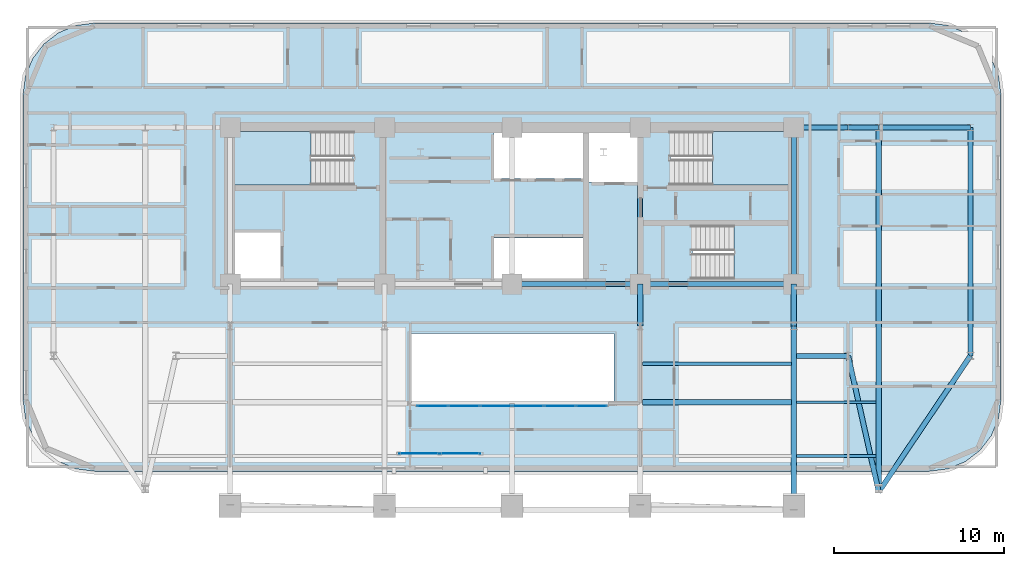
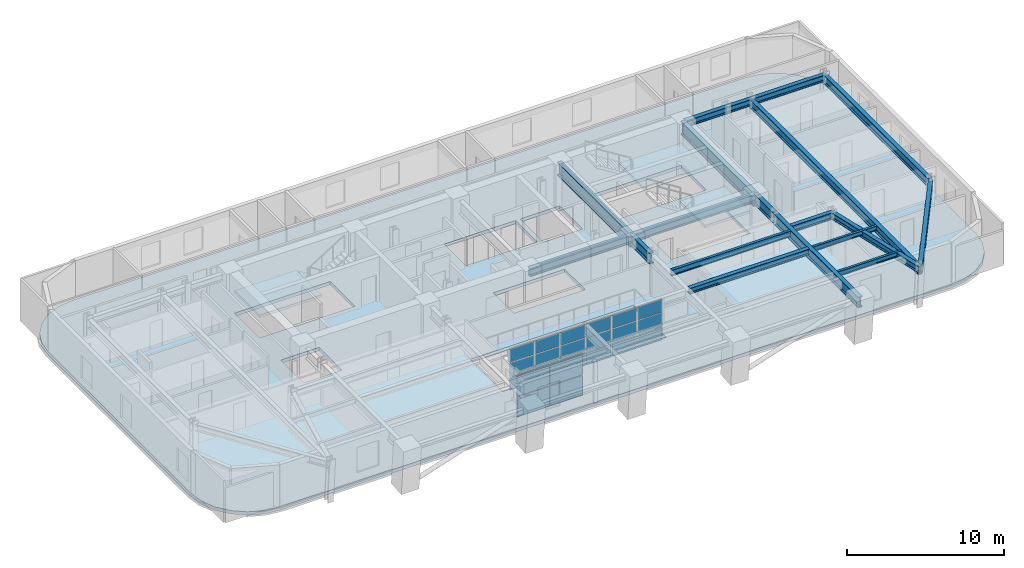
# One storey, part 6 of 15: 22 plates, 19 beams, 4 slabs, 5 elements without a shape of their own.
"""IFC4 building model written with IfcOpenShell, lengths in metres."""

from ifc_helpers import new_model, si_unit, direction, frame, origin, origin_2d, place, context, subcontext, project, spatial, polyline, rectangle, i_section, outline, extrude, material, layer, layer_set, material_profile, profile_set, type_object, element, aggregate, save


model = new_model("IFC4")

# Units and contexts
model_context = context("Model", 3, precision=1e-05, world=origin(), true_north=direction((0.0, 1.0)))
body_context = subcontext(model_context, "Body", "Model", "MODEL_VIEW")
ifc_project = project(units=[si_unit("LENGTHUNIT", "METRE"), si_unit("AREAUNIT", "SQUARE_METRE"), si_unit("VOLUMEUNIT", "CUBIC_METRE"), si_unit("PLANEANGLEUNIT", "RADIAN"), si_unit("MASSUNIT", "GRAM", prefix="KILO")], contexts=[model_context])

# Site, building, storey
site_placement = place(None, origin())
site = spatial("IfcSite", under=ifc_project, at=site_placement, CompositionType="ELEMENT")
building_placement = place(site_placement, origin())
building = spatial("IfcBuilding", under=site, at=building_placement, Name="Zarnavel Station Tower", CompositionType="ELEMENT")
storey_placement = place(building_placement, frame((0.0, 0.0, 125.800048828125)))
storey = spatial("IfcBuildingStorey", under=building, at=storey_placement, Name="L34", CompositionType="ELEMENT", Elevation=125.800048828125)

# Beams
ifc_material_1 = material(Name="Steel S355J2", Category="steel")
ifc_material_profile_1 = material_profile(ifc_material_1, i_section(OverallWidth=0.300048828125, OverallDepth=0.43994140625, WebThickness=0.011474609375, FlangeThickness=0.02099609375, FilletRadius=0.027099609375, at=origin_2d()), Name="HEA450")
ifc_profile_set_1 = profile_set([ifc_material_profile_1], Name="Steel S355J2")
beam_type_1 = type_object("IfcBeamType", Name="FB_HEA450", PredefinedType="BEAM", material=ifc_profile_set_1)
beam_1_placement = place(storey_placement, frame((36.4951171875, 20.8671875, 3.02001953125), z_axis=(1.0, 0.0, 0.0), x_axis=(0.0, 1.0, 0.0)))
element("IfcBeam", 1, at=beam_1_placement, inside=storey, type_object=beam_type_1, Name="L34 East Bay Beam 2", PredefinedType="BEAM", context=body_context, shape_type="SweptSolid", body=[
    extrude(i_section(OverallWidth=0.300048828125, OverallDepth=0.43994140625, WebThickness=0.011474609375, FlangeThickness=0.02099609375, FilletRadius=0.027099609375, at=origin_2d()), origin(), (0.0, 0.0, 1.0), 8.759765625),
])
ifc_material_2 = material(Name="Steel S355J2", Category="steel")
ifc_material_profile_2 = material_profile(ifc_material_2, i_section(OverallWidth=0.18994140625, OverallDepth=0.449951171875, WebThickness=0.009521484375, FlangeThickness=0.0146484375, FilletRadius=0.02099609375, at=origin_2d()), Name="IPE450")
ifc_profile_set_2 = profile_set([ifc_material_profile_2], Name="Steel S355J2")
beam_type_2 = type_object("IfcBeamType", Name="FB_IPE450", PredefinedType="BEAM", material=ifc_profile_set_2)
beam_2_placement = place(storey_placement, frame((36.4951171875, 23.133544921875, 3.014892578125), z_axis=(1.0, 0.0, 0.0), x_axis=(0.0, 1.0, 0.0)))
element("IfcBeam", 2, at=beam_2_placement, inside=storey, type_object=beam_type_2, Name="L34 East Bay Beam 3", PredefinedType="BEAM", context=body_context, shape_type="SweptSolid", body=[
    extrude(i_section(OverallWidth=0.18994140625, OverallDepth=0.449951171875, WebThickness=0.009521484375, FlangeThickness=0.0146484375, FilletRadius=0.02099609375, at=origin_2d()), origin(), (0.0, 0.0, 1.0), 8.759765625),
])
ifc_material_3 = material(Name="Steel S355J2", Category="steel")
ifc_material_profile_3 = material_profile(ifc_material_3, i_section(OverallWidth=0.300048828125, OverallDepth=0.5, WebThickness=0.014404296875, FlangeThickness=0.028076171875, FilletRadius=0.027099609375, at=origin_2d()), Name="HEB500")
ifc_profile_set_3 = profile_set([ifc_material_profile_3], Name="Steel S355J2")
beam_type_3 = type_object("IfcBeamType", Name="FG_HEB500", PredefinedType="USERDEFINED", material=ifc_profile_set_3)
for number, where, z_axis, x_axis, name in (
    (3, (45.544921875, 23.60009765625, 2.989990234375), (1.0, 0.0, 0.0), (0.0, 1.0, 0.0), "L34 East Wing South Tie 1"),
    (4, (45.544921875, 37.050048828125, 2.989990234375), (1.0, 0.0, 0.0), (0.0, 1.0, 0.0), "L34 East Wing North Tie 1"),
):
    element("IfcBeam", number, at=place(storey_placement, frame(where, z_axis=z_axis, x_axis=x_axis)), inside=storey, type_object=beam_type_3, Name=name, ObjectType="GIRDER", PredefinedType="USERDEFINED", context=body_context, shape_type="SweptSolid", body=[
        extrude(i_section(OverallWidth=0.300048828125, OverallDepth=0.5, WebThickness=0.014404296875, FlangeThickness=0.028076171875, FilletRadius=0.027099609375, at=origin_2d()), origin(), (0.0, 0.0, 1.0), 3.05517578125),
    ])
beam_3_placement = place(storey_placement, frame((48.60009765625, 23.60009765625, 2.989990234375), z_axis=(0.219012367751, -0.975722082753, 0.0), x_axis=(0.975722082753, 0.219012367751, 0.0)))
element("IfcBeam", 5, at=beam_3_placement, inside=storey, type_object=beam_type_3, Name="L34 East Wing South Tie 2", ObjectType="GIRDER", PredefinedType="USERDEFINED", context=body_context, shape_type="SweptSolid", body=[
    extrude(i_section(OverallWidth=0.300048828125, OverallDepth=0.5, WebThickness=0.014404296875, FlangeThickness=0.028076171875, FilletRadius=0.027099609375, at=origin_2d()), origin(), (0.0, 0.0, 1.0), 8.2177734375),
])
beam_4_placement = place(storey_placement, frame((48.60009765625, 37.050048828125, 2.989990234375), z_axis=(1.0, 0.0, 0.0), x_axis=(0.0, 1.0, 0.0)))
element("IfcBeam", 6, at=beam_4_placement, inside=storey, type_object=beam_type_3, Name="L34 East Wing North Tie 2", ObjectType="GIRDER", PredefinedType="USERDEFINED", context=body_context, shape_type="SweptSolid", body=[
    extrude(i_section(OverallWidth=0.300048828125, OverallDepth=0.5, WebThickness=0.014404296875, FlangeThickness=0.028076171875, FilletRadius=0.027099609375, at=origin_2d()), origin(), (0.0, 0.0, 1.0), 1.7998046875),
])
beam_5_placement = place(storey_placement, frame((50.39990234375, 15.581787109375, 2.989990234375), z_axis=(0.558604634387, 0.829434061539, 0.0), x_axis=(-0.829434061539, 0.558604634387, 0.0)))
element("IfcBeam", 7, at=beam_5_placement, inside=storey, type_object=beam_type_3, Name="L34 East Wing South Tie 3", ObjectType="GIRDER", PredefinedType="USERDEFINED", context=body_context, shape_type="SweptSolid", body=[
    extrude(i_section(OverallWidth=0.300048828125, OverallDepth=0.5, WebThickness=0.014404296875, FlangeThickness=0.028076171875, FilletRadius=0.027099609375, at=origin_2d()), origin(), (0.0, 0.0, 1.0), 9.667236328125),
])
beam_6_placement = place(storey_placement, frame((50.39990234375, 37.050048828125, 2.989990234375), z_axis=(1.0, 0.0, 0.0), x_axis=(0.0, 1.0, 0.0)))
element("IfcBeam", 8, at=beam_6_placement, inside=storey, type_object=beam_type_3, Name="L34 East Wing North Tie 3", ObjectType="GIRDER", PredefinedType="USERDEFINED", context=body_context, shape_type="SweptSolid", body=[
    extrude(i_section(OverallWidth=0.300048828125, OverallDepth=0.5, WebThickness=0.014404296875, FlangeThickness=0.028076171875, FilletRadius=0.027099609375, at=origin_2d()), origin(), (0.0, 0.0, 1.0), 5.400146484375),
])
ifc_material_4 = material(Name="Steel S355J2", Category="steel")
ifc_material_profile_4 = material_profile(ifc_material_4, i_section(OverallWidth=0.300048828125, OverallDepth=0.60009765625, WebThickness=0.015380859375, FlangeThickness=0.030029296875, FilletRadius=0.027099609375, at=origin_2d()), Name="HEB600")
ifc_profile_set_4 = profile_set([ifc_material_profile_4], Name="Steel S355J2")
beam_type_4 = type_object("IfcBeamType", Name="FG_HEB600", PredefinedType="USERDEFINED", material=ifc_profile_set_4)
beam_7_placement = place(storey_placement, frame((28.800048828125, 27.820068359375, 2.93994140625), z_axis=(1.0, 0.0, 0.0), x_axis=(0.0, 1.0, 0.0)))
element("IfcBeam", 9, at=beam_7_placement, inside=storey, type_object=beam_type_4, Name="L34 Core Front Coupling Beam 3", ObjectType="GIRDER", PredefinedType="USERDEFINED", context=body_context, shape_type="SweptSolid", body=[
    extrude(i_section(OverallWidth=0.300048828125, OverallDepth=0.60009765625, WebThickness=0.015380859375, FlangeThickness=0.030029296875, FilletRadius=0.027099609375, at=origin_2d()), origin(), (0.0, 0.0, 1.0), 7.550048828125),
])
beam_8_placement = place(storey_placement, frame((36.35009765625, 27.820068359375, 2.93994140625), z_axis=(1.0, 0.0, 0.0), x_axis=(0.0, 1.0, 0.0)))
element("IfcBeam", 10, at=beam_8_placement, inside=storey, type_object=beam_type_4, Name="L34 Core Front Coupling Beam 4", ObjectType="GIRDER", PredefinedType="USERDEFINED", context=body_context, shape_type="SweptSolid", body=[
    extrude(i_section(OverallWidth=0.300048828125, OverallDepth=0.60009765625, WebThickness=0.015380859375, FlangeThickness=0.030029296875, FilletRadius=0.027099609375, at=origin_2d()), origin(), (0.0, 0.0, 1.0), 9.0498046875),
])
ifc_material_5 = material(Name="Steel S355J2", Category="steel")
ifc_material_profile_5 = material_profile(ifc_material_5, i_section(OverallWidth=0.300048828125, OverallDepth=0.64990234375, WebThickness=0.01611328125, FlangeThickness=0.031005859375, FilletRadius=0.027099609375, at=origin_2d()), Name="HEB650")
ifc_profile_set_5 = profile_set([ifc_material_profile_5], Name="Steel S355J2")
beam_type_5 = type_object("IfcBeamType", Name="FG_HEB650", PredefinedType="USERDEFINED", material=ifc_profile_set_5)
beam_9_placement = place(storey_placement, frame((50.39990234375, 15.581787109375, 2.9150390625), z_axis=(0.0, 1.0, 0.0), x_axis=(-1.0, 0.0, 0.0)))
element("IfcBeam", 11, at=beam_9_placement, inside=storey, type_object=beam_type_5, Name="L34 Wing NS Girder 3", ObjectType="GIRDER", PredefinedType="USERDEFINED", context=body_context, shape_type="SweptSolid", body=[
    extrude(i_section(OverallWidth=0.300048828125, OverallDepth=0.64990234375, WebThickness=0.01611328125, FlangeThickness=0.031005859375, FilletRadius=0.027099609375, at=origin_2d()), origin(), (0.0, 0.0, 1.0), 21.46826171875),
])
beam_10_placement = place(storey_placement, frame((55.800048828125, 23.60009765625, 2.9150390625), z_axis=(0.0, 1.0, 0.0), x_axis=(-1.0, 0.0, 0.0)))
element("IfcBeam", 12, at=beam_10_placement, inside=storey, type_object=beam_type_5, Name="L34 Wing NS Girder 4", ObjectType="GIRDER", PredefinedType="USERDEFINED", context=body_context, shape_type="SweptSolid", body=[
    extrude(i_section(OverallWidth=0.300048828125, OverallDepth=0.64990234375, WebThickness=0.01611328125, FlangeThickness=0.031005859375, FilletRadius=0.027099609375, at=origin_2d()), origin(), (0.0, 0.0, 1.0), 13.449951171875),
])
ifc_material_6 = material(Name="Steel S460M", Category="steel")
ifc_material_profile_6 = material_profile(ifc_material_6, i_section(OverallWidth=0.302978515625, OverallDepth=0.81396484375, WebThickness=0.02099609375, FlangeThickness=0.0400390625, FilletRadius=0.030029296875, at=origin_2d()), Name="HEM800")
ifc_profile_set_6 = profile_set([ifc_material_profile_6], Name="Steel S460M")
beam_type_6 = type_object("IfcBeamType", Name="FG_HEM800", PredefinedType="USERDEFINED", material=ifc_profile_set_6)
beam_11_placement = place(storey_placement, frame((36.35009765625, 25.35009765625, 2.8330078125), z_axis=(0.0, 1.0, 0.0), x_axis=(-1.0, 0.0, 0.0)))
element("IfcBeam", 13, at=beam_11_placement, inside=storey, type_object=beam_type_6, Name="L34 Inner-Zone NS Girder 4", ObjectType="GIRDER", PredefinedType="USERDEFINED", context=body_context, shape_type="SweptSolid", body=[
    extrude(i_section(OverallWidth=0.302978515625, OverallDepth=0.81396484375, WebThickness=0.02099609375, FlangeThickness=0.0400390625, FilletRadius=0.030029296875, at=origin_2d()), origin(), (0.0, 0.0, 1.0), 2.469970703125),
])
beam_12_placement = place(storey_placement, frame((45.39990234375, 14.534423828125, 2.8330078125), z_axis=(0.0, 1.0, 0.0), x_axis=(-1.0, 0.0, 0.0)))
element("IfcBeam", 14, at=beam_12_placement, inside=storey, type_object=beam_type_6, Name="L34 South-Zone NS Girder 5", ObjectType="GIRDER", PredefinedType="USERDEFINED", context=body_context, shape_type="SweptSolid", body=[
    extrude(i_section(OverallWidth=0.302978515625, OverallDepth=0.81396484375, WebThickness=0.02099609375, FlangeThickness=0.0400390625, FilletRadius=0.030029296875, at=origin_2d()), origin(), (0.0, 0.0, 1.0), 10.815673828125),
])
beam_13_placement = place(storey_placement, frame((45.39990234375, 25.35009765625, 2.8330078125), z_axis=(0.0, 1.0, 0.0), x_axis=(-1.0, 0.0, 0.0)))
element("IfcBeam", 15, at=beam_13_placement, inside=storey, type_object=beam_type_6, Name="L34 Inner-Zone NS Girder 5", ObjectType="GIRDER", PredefinedType="USERDEFINED", context=body_context, shape_type="SweptSolid", body=[
    extrude(i_section(OverallWidth=0.302978515625, OverallDepth=0.81396484375, WebThickness=0.02099609375, FlangeThickness=0.0400390625, FilletRadius=0.030029296875, at=origin_2d()), origin(), (0.0, 0.0, 1.0), 2.469970703125),
])
ifc_material_7 = material(Name="Steel S355J2", Category="steel")
ifc_material_profile_7 = material_profile(ifc_material_7, i_section(OverallWidth=0.169921875, OverallDepth=0.360107421875, WebThickness=0.008056640625, FlangeThickness=0.0126953125, FilletRadius=0.01806640625, at=origin_2d()), Name="IPE360")
ifc_profile_set_7 = profile_set([ifc_material_profile_7], Name="Steel S355J2")
beam_type_7 = type_object("IfcBeamType", Name="FJ_IPE360", PredefinedType="JOIST", material=ifc_profile_set_7)
for number, where, z_axis, x_axis, name in (
    (16, (45.544921875, 17.70068359375, 3.06005859375), (1.0, 0.0, 0.0), (0.0, 1.0, 0.0), "L34 East Wing Joist 1"),
    (17, (45.544921875, 20.8671875, 3.06005859375), (1.0, 0.0, 0.0), (0.0, 1.0, 0.0), "L34 East Wing Joist 2"),
):
    element("IfcBeam", number, at=place(storey_placement, frame(where, z_axis=z_axis, x_axis=x_axis)), inside=storey, type_object=beam_type_7, Name=name, PredefinedType="JOIST", context=body_context, shape_type="SweptSolid", body=[
        extrude(i_section(OverallWidth=0.169921875, OverallDepth=0.360107421875, WebThickness=0.008056640625, FlangeThickness=0.0126953125, FilletRadius=0.01806640625, at=origin_2d()), origin(), (0.0, 0.0, 1.0), 4.7099609375),
    ])
ifc_material_8 = material(Name="Steel S460M", Category="steel")
ifc_material_profile_8 = material_profile(ifc_material_8, i_section(OverallWidth=0.302001953125, OverallDepth=1.008056640625, WebThickness=0.02099609375, FlangeThickness=0.0400390625, FilletRadius=0.030029296875, at=origin_2d()), Name="HEM1000")
ifc_profile_set_8 = profile_set([ifc_material_profile_8], Name="Steel S460M")
beam_type_8 = type_object("IfcBeamType", Name="TG_HEM1000", PredefinedType="USERDEFINED", material=ifc_profile_set_8)
for number, where, z_axis, x_axis, name in (
    (18, (36.35009765625, 27.820068359375, 2.73583984375), (0.0, 1.0, 0.0), (-1.0, 0.0, 0.0), "L34 Core Spine Coupling Girder 4"),
    (19, (45.39990234375, 27.820068359375, 2.73583984375), (0.0, 1.0, 0.0), (-1.0, 0.0, 0.0), "L34 Core Spine Coupling Girder 5"),
):
    element("IfcBeam", number, at=place(storey_placement, frame(where, z_axis=z_axis, x_axis=x_axis)), inside=storey, type_object=beam_type_8, Name=name, ObjectType="GIRDER", PredefinedType="USERDEFINED", context=body_context, shape_type="SweptSolid", body=[
        extrude(i_section(OverallWidth=0.302001953125, OverallDepth=1.008056640625, WebThickness=0.02099609375, FlangeThickness=0.0400390625, FilletRadius=0.030029296875, at=origin_2d()), origin(), (0.0, 0.0, 1.0), 9.22998046875),
    ])

# Curtain wall, plates
ifc_material_9 = material(Name="Aluminium Dark Anodised and Solar-Control Glass", Category="aluminium")
ifc_layer_1 = layer(ifc_material_9, 0.179931640625)
ifc_layer_set_1 = layer_set([ifc_layer_1], Name="CWS3")
curtain_wall_type_1 = type_object("IfcCurtainWallType", Name="CWS3", PredefinedType="NOTDEFINED", material=ifc_layer_set_1)
curtain_wall_1_placement = place(storey_placement, origin())
curtain_wall_1 = element("IfcCurtainWall", 20, at=curtain_wall_1_placement, inside=storey, type_object=curtain_wall_type_1, Name="L34 Curtain Wall CWS3-L34-AS", PredefinedType="NOTDEFINED")
ifc_material_10 = material(Name="Double Low-E Dark Solar-Control Glass", Category="glass")
ifc_layer_2 = layer(ifc_material_10, 0.030029296875)
ifc_layer_set_2 = layer_set([ifc_layer_2], Name="CWS3_PNL")
plate_type_1 = type_object("IfcPlateType", Name="CWS3_PNL", PredefinedType="CURTAIN_PANEL", material=ifc_layer_set_2)
plate_1_placement = place(storey_placement, frame((24.106689453125, 20.64990234375, 0.06005859375), z_axis=(0.0, 0.0, 1.0), x_axis=(1.0, 0.0, 0.0)))
plate_1 = element("IfcPlate", 21, at=plate_1_placement, type_object=plate_type_1, Name="CW3 panel 1.1", PredefinedType="CURTAIN_PANEL", context=body_context, shape_type="SweptSolid", body=[
    extrude(rectangle(XDim=1.793212890625, YDim=0.028076171875, at=origin_2d()), origin(), (0.0, 0.0, 1.0), 0.989990234375),
])
plate_2_placement = place(storey_placement, frame((24.106689453125, 20.64990234375, 1.10986328125), z_axis=(0.0, 0.0, 1.0), x_axis=(1.0, 0.0, 0.0)))
plate_2 = element("IfcPlate", 22, at=plate_2_placement, type_object=plate_type_1, Name="CW3 panel 1.2", PredefinedType="CURTAIN_PANEL", context=body_context, shape_type="SweptSolid", body=[
    extrude(rectangle(XDim=1.793212890625, YDim=0.028076171875, at=origin_2d()), origin(), (0.0, 0.0, 1.0), 1.02001953125),
])
plate_3_placement = place(storey_placement, frame((24.106689453125, 20.64990234375, 2.18994140625), z_axis=(0.0, 0.0, 1.0), x_axis=(1.0, 0.0, 0.0)))
plate_3 = element("IfcPlate", 23, at=plate_3_placement, type_object=plate_type_1, Name="CW3 panel 1.3", PredefinedType="CURTAIN_PANEL", context=body_context, shape_type="SweptSolid", body=[
    extrude(rectangle(XDim=1.793212890625, YDim=0.028076171875, at=origin_2d()), origin(), (0.0, 0.0, 1.0), 0.989990234375),
])
plate_4_placement = place(storey_placement, frame((25.97509765625, 20.64990234375, 0.06005859375), z_axis=(0.0, 0.0, 1.0), x_axis=(1.0, 0.0, 0.0)))
plate_4 = element("IfcPlate", 24, at=plate_4_placement, type_object=plate_type_1, Name="CW3 panel 2.1", PredefinedType="CURTAIN_PANEL", context=body_context, shape_type="SweptSolid", body=[
    extrude(rectangle(XDim=1.8232421875, YDim=0.028076171875, at=origin_2d()), origin(), (0.0, 0.0, 1.0), 0.989990234375),
])
plate_5_placement = place(storey_placement, frame((25.97509765625, 20.64990234375, 1.10986328125), z_axis=(0.0, 0.0, 1.0), x_axis=(1.0, 0.0, 0.0)))
plate_5 = element("IfcPlate", 25, at=plate_5_placement, type_object=plate_type_1, Name="CW3 panel 2.2", PredefinedType="CURTAIN_PANEL", context=body_context, shape_type="SweptSolid", body=[
    extrude(rectangle(XDim=1.8232421875, YDim=0.028076171875, at=origin_2d()), origin(), (0.0, 0.0, 1.0), 1.02001953125),
])
plate_6_placement = place(storey_placement, frame((25.97509765625, 20.64990234375, 2.18994140625), z_axis=(0.0, 0.0, 1.0), x_axis=(1.0, 0.0, 0.0)))
plate_6 = element("IfcPlate", 26, at=plate_6_placement, type_object=plate_type_1, Name="CW3 panel 2.3", PredefinedType="CURTAIN_PANEL", context=body_context, shape_type="SweptSolid", body=[
    extrude(rectangle(XDim=1.8232421875, YDim=0.028076171875, at=origin_2d()), origin(), (0.0, 0.0, 1.0), 0.989990234375),
])
plate_7_placement = place(storey_placement, frame((27.8583984375, 20.64990234375, 0.06005859375), z_axis=(0.0, 0.0, 1.0), x_axis=(1.0, 0.0, 0.0)))
plate_7 = element("IfcPlate", 27, at=plate_7_placement, type_object=plate_type_1, Name="CW3 panel 3.1", PredefinedType="CURTAIN_PANEL", context=body_context, shape_type="SweptSolid", body=[
    extrude(rectangle(XDim=1.8232421875, YDim=0.028076171875, at=origin_2d()), origin(), (0.0, 0.0, 1.0), 0.989990234375),
])
plate_8_placement = place(storey_placement, frame((27.8583984375, 20.64990234375, 1.10986328125), z_axis=(0.0, 0.0, 1.0), x_axis=(1.0, 0.0, 0.0)))
plate_8 = element("IfcPlate", 28, at=plate_8_placement, type_object=plate_type_1, Name="CW3 panel 3.2", PredefinedType="CURTAIN_PANEL", context=body_context, shape_type="SweptSolid", body=[
    extrude(rectangle(XDim=1.8232421875, YDim=0.028076171875, at=origin_2d()), origin(), (0.0, 0.0, 1.0), 1.02001953125),
])
plate_9_placement = place(storey_placement, frame((27.8583984375, 20.64990234375, 2.18994140625), z_axis=(0.0, 0.0, 1.0), x_axis=(1.0, 0.0, 0.0)))
plate_9 = element("IfcPlate", 29, at=plate_9_placement, type_object=plate_type_1, Name="CW3 panel 3.3", PredefinedType="CURTAIN_PANEL", context=body_context, shape_type="SweptSolid", body=[
    extrude(rectangle(XDim=1.8232421875, YDim=0.028076171875, at=origin_2d()), origin(), (0.0, 0.0, 1.0), 0.989990234375),
])
plate_10_placement = place(storey_placement, frame((29.74169921875, 20.64990234375, 0.06005859375), z_axis=(0.0, 0.0, 1.0), x_axis=(1.0, 0.0, 0.0)))
plate_10 = element("IfcPlate", 30, at=plate_10_placement, type_object=plate_type_1, Name="CW3 panel 4.1", PredefinedType="CURTAIN_PANEL", context=body_context, shape_type="SweptSolid", body=[
    extrude(rectangle(XDim=1.8232421875, YDim=0.028076171875, at=origin_2d()), origin(), (0.0, 0.0, 1.0), 0.989990234375),
])
plate_11_placement = place(storey_placement, frame((29.74169921875, 20.64990234375, 1.10986328125), z_axis=(0.0, 0.0, 1.0), x_axis=(1.0, 0.0, 0.0)))
plate_11 = element("IfcPlate", 31, at=plate_11_placement, type_object=plate_type_1, Name="CW3 panel 4.2", PredefinedType="CURTAIN_PANEL", context=body_context, shape_type="SweptSolid", body=[
    extrude(rectangle(XDim=1.8232421875, YDim=0.028076171875, at=origin_2d()), origin(), (0.0, 0.0, 1.0), 1.02001953125),
])
plate_12_placement = place(storey_placement, frame((29.74169921875, 20.64990234375, 2.18994140625), z_axis=(0.0, 0.0, 1.0), x_axis=(1.0, 0.0, 0.0)))
plate_12 = element("IfcPlate", 32, at=plate_12_placement, type_object=plate_type_1, Name="CW3 panel 4.3", PredefinedType="CURTAIN_PANEL", context=body_context, shape_type="SweptSolid", body=[
    extrude(rectangle(XDim=1.8232421875, YDim=0.028076171875, at=origin_2d()), origin(), (0.0, 0.0, 1.0), 0.989990234375),
])
plate_13_placement = place(storey_placement, frame((31.625, 20.64990234375, 0.06005859375), z_axis=(0.0, 0.0, 1.0), x_axis=(1.0, 0.0, 0.0)))
plate_13 = element("IfcPlate", 33, at=plate_13_placement, type_object=plate_type_1, Name="CW3 panel 5.1", PredefinedType="CURTAIN_PANEL", context=body_context, shape_type="SweptSolid", body=[
    extrude(rectangle(XDim=1.8232421875, YDim=0.028076171875, at=origin_2d()), origin(), (0.0, 0.0, 1.0), 0.989990234375),
])
plate_14_placement = place(storey_placement, frame((31.625, 20.64990234375, 1.10986328125), z_axis=(0.0, 0.0, 1.0), x_axis=(1.0, 0.0, 0.0)))
plate_14 = element("IfcPlate", 34, at=plate_14_placement, type_object=plate_type_1, Name="CW3 panel 5.2", PredefinedType="CURTAIN_PANEL", context=body_context, shape_type="SweptSolid", body=[
    extrude(rectangle(XDim=1.8232421875, YDim=0.028076171875, at=origin_2d()), origin(), (0.0, 0.0, 1.0), 1.02001953125),
])
plate_15_placement = place(storey_placement, frame((31.625, 20.64990234375, 2.18994140625), z_axis=(0.0, 0.0, 1.0), x_axis=(1.0, 0.0, 0.0)))
plate_15 = element("IfcPlate", 35, at=plate_15_placement, type_object=plate_type_1, Name="CW3 panel 5.3", PredefinedType="CURTAIN_PANEL", context=body_context, shape_type="SweptSolid", body=[
    extrude(rectangle(XDim=1.8232421875, YDim=0.028076171875, at=origin_2d()), origin(), (0.0, 0.0, 1.0), 0.989990234375),
])
plate_16_placement = place(storey_placement, frame((33.493408203125, 20.64990234375, 0.06005859375), z_axis=(0.0, 0.0, 1.0), x_axis=(1.0, 0.0, 0.0)))
plate_16 = element("IfcPlate", 36, at=plate_16_placement, type_object=plate_type_1, Name="CW3 panel 6.1", PredefinedType="CURTAIN_PANEL", context=body_context, shape_type="SweptSolid", body=[
    extrude(rectangle(XDim=1.793212890625, YDim=0.028076171875, at=origin_2d()), origin(), (0.0, 0.0, 1.0), 0.989990234375),
])
plate_17_placement = place(storey_placement, frame((33.493408203125, 20.64990234375, 1.10986328125), z_axis=(0.0, 0.0, 1.0), x_axis=(1.0, 0.0, 0.0)))
plate_17 = element("IfcPlate", 37, at=plate_17_placement, type_object=plate_type_1, Name="CW3 panel 6.2", PredefinedType="CURTAIN_PANEL", context=body_context, shape_type="SweptSolid", body=[
    extrude(rectangle(XDim=1.793212890625, YDim=0.028076171875, at=origin_2d()), origin(), (0.0, 0.0, 1.0), 1.02001953125),
])
plate_18_placement = place(storey_placement, frame((33.493408203125, 20.64990234375, 2.18994140625), z_axis=(0.0, 0.0, 1.0), x_axis=(1.0, 0.0, 0.0)))
plate_18 = element("IfcPlate", 38, at=plate_18_placement, type_object=plate_type_1, Name="CW3 panel 6.3", PredefinedType="CURTAIN_PANEL", context=body_context, shape_type="SweptSolid", body=[
    extrude(rectangle(XDim=1.793212890625, YDim=0.028076171875, at=origin_2d()), origin(), (0.0, 0.0, 1.0), 0.989990234375),
])
aggregate(curtain_wall_1, [plate_1, plate_2, plate_3, plate_4, plate_5, plate_6, plate_7, plate_8, plate_9, plate_10, plate_11, plate_12, plate_13, plate_14, plate_15, plate_16, plate_17, plate_18])

ifc_material_11 = material(Name="Aluminium Dark Anodised and Solar-Control Glass", Category="aluminium")
ifc_layer_3 = layer(ifc_material_11, 0.179931640625)
ifc_layer_set_3 = layer_set([ifc_layer_3], Name="CWS6")
curtain_wall_type_2 = type_object("IfcCurtainWallType", Name="CWS6", PredefinedType="NOTDEFINED", material=ifc_layer_set_3)
curtain_wall_2_placement = place(storey_placement, origin())
curtain_wall_2 = element("IfcCurtainWall", 39, at=curtain_wall_2_placement, inside=storey, type_object=curtain_wall_type_2, Name="L34 Curtain Wall CWS6-LOG-L34", PredefinedType="NOTDEFINED")
ifc_material_12 = material(Name="Double Low-E Dark Solar-Control Glass", Category="glass")
ifc_layer_4 = layer(ifc_material_12, 0.0380859375)
ifc_layer_set_4 = layer_set([ifc_layer_4], Name="CWS6_PNL")
plate_type_2 = type_object("IfcPlateType", Name="CWS6_PNL", PredefinedType="CURTAIN_PANEL", material=ifc_layer_set_4)
plate_19_placement = place(storey_placement, frame((23.340087890625, 17.85009765625, 0.06005859375), z_axis=(0.0, 0.0, 1.0), x_axis=(1.0, 0.0, 0.0)))
plate_19 = element("IfcPlate", 40, at=plate_19_placement, type_object=plate_type_2, Name="CW6 panel 1.1", PredefinedType="CURTAIN_PANEL", context=body_context, shape_type="SweptSolid", body=[
    extrude(rectangle(XDim=2.360107421875, YDim=0.028076171875, at=origin_2d()), origin(), (0.0, 0.0, 1.0), 1.530029296875),
])
plate_20_placement = place(storey_placement, frame((23.340087890625, 17.85009765625, 1.64990234375), z_axis=(0.0, 0.0, 1.0), x_axis=(1.0, 0.0, 0.0)))
plate_20 = element("IfcPlate", 41, at=plate_20_placement, type_object=plate_type_2, Name="CW6 panel 1.2", PredefinedType="CURTAIN_PANEL", context=body_context, shape_type="SweptSolid", body=[
    extrude(rectangle(XDim=2.360107421875, YDim=0.028076171875, at=origin_2d()), origin(), (0.0, 0.0, 1.0), 1.530029296875),
])
plate_21_placement = place(storey_placement, frame((25.760009765625, 17.85009765625, 0.06005859375), z_axis=(0.0, 0.0, 1.0), x_axis=(1.0, 0.0, 0.0)))
plate_21 = element("IfcPlate", 42, at=plate_21_placement, type_object=plate_type_2, Name="CW6 panel 2.1", PredefinedType="CURTAIN_PANEL", context=body_context, shape_type="SweptSolid", body=[
    extrude(rectangle(XDim=2.360107421875, YDim=0.028076171875, at=origin_2d()), origin(), (0.0, 0.0, 1.0), 1.530029296875),
])
plate_22_placement = place(storey_placement, frame((25.760009765625, 17.85009765625, 1.64990234375), z_axis=(0.0, 0.0, 1.0), x_axis=(1.0, 0.0, 0.0)))
plate_22 = element("IfcPlate", 43, at=plate_22_placement, type_object=plate_type_2, Name="CW6 panel 2.2", PredefinedType="CURTAIN_PANEL", context=body_context, shape_type="SweptSolid", body=[
    extrude(rectangle(XDim=2.360107421875, YDim=0.028076171875, at=origin_2d()), origin(), (0.0, 0.0, 1.0), 1.530029296875),
])
aggregate(curtain_wall_2, [plate_19, plate_20, plate_21, plate_22])

# Slab
ifc_material_13 = material(Name="Concrete C45/55", Category="concrete")
ifc_layer_5 = layer(ifc_material_13, 0.260009765625)
ifc_layer_set_5 = layer_set([ifc_layer_5], Name="SL_FLR_260")
slab_type_1 = type_object("IfcSlabType", Name="SL_FLR_260", PredefinedType="FLOOR", material=ifc_layer_set_5)
slab_1_placement = place(storey_placement, frame((0.0, 0.0, -0.260009765625)))
element("IfcSlab", 44, at=slab_1_placement, inside=storey, type_object=slab_type_1, Name="L34 Structural Floor Slab", PredefinedType="FLOOR", context=body_context, shape_type="SweptSolid", body=[
    extrude(outline(polyline([(53.39990234375, 16.800048828125), (54.487060546875, 16.943115234375), (55.5, 17.36279296875), (56.369873046875, 18.0302734375), (57.037353515625, 18.89990234375), (57.456787109375, 19.9130859375), (57.60009765625, 21.0), (57.60009765625, 39.0), (57.456787109375, 40.0869140625), (57.037353515625, 41.10009765625), (56.369873046875, 41.9697265625), (55.5, 42.63720703125), (54.487060546875, 43.056884765625), (53.39990234375, 43.199951171875), (4.199951171875, 43.199951171875), (3.113037109375, 43.056884765625), (2.10009765625, 42.63720703125), (1.230224609375, 41.9697265625), (0.562744140625, 41.10009765625), (0.14306640625, 40.0869140625), (0.0, 39.0), (0.0, 21.0), (0.14306640625, 19.9130859375), (0.562744140625, 18.89990234375), (1.230224609375, 18.0302734375), (2.10009765625, 17.36279296875), (3.113037109375, 16.943115234375), (4.199951171875, 16.800048828125), (53.39990234375, 16.800048828125)]), holes=[polyline([(12.39990234375, 33.659912109375), (19.409912109375, 33.659912109375), (19.409912109375, 36.820068359375), (12.39990234375, 36.820068359375), (12.39990234375, 33.659912109375)]), polyline([(38.14990234375, 33.659912109375), (45.159912109375, 33.659912109375), (45.159912109375, 36.820068359375), (38.14990234375, 36.820068359375), (38.14990234375, 33.659912109375)]), polyline([(39.419921875, 28.1201171875), (45.14990234375, 28.1201171875), (45.14990234375, 31.280029296875), (39.419921875, 31.280029296875), (39.419921875, 28.1201171875)]), polyline([(12.35009765625, 27.949951171875), (15.14990234375, 27.949951171875), (15.14990234375, 30.85009765625), (12.35009765625, 30.85009765625), (12.35009765625, 27.949951171875)]), polyline([(33.320068359375, 33.85009765625), (36.2099609375, 33.85009765625), (36.2099609375, 36.780029296875), (33.320068359375, 36.780029296875), (33.320068359375, 33.85009765625)]), polyline([(27.75, 34.050048828125), (32.97998046875, 34.050048828125), (32.97998046875, 36.780029296875), (27.75, 36.780029296875), (27.75, 34.050048828125)]), polyline([(27.75, 27.949951171875), (32.97998046875, 27.949951171875), (32.97998046875, 30.550048828125), (27.75, 30.550048828125), (27.75, 27.949951171875)]), polyline([(22.800048828125, 20.800048828125), (34.800048828125, 20.800048828125), (34.800048828125, 24.89990234375), (22.800048828125, 24.89990234375), (22.800048828125, 20.800048828125)])]), origin(), (0.0, 0.0, 1.0), 0.260009765625),
])

# Stair, slab
ifc_material_14 = material(Name="Concrete C45/55", Category="concrete")
stair_type = type_object("IfcStairType", Name="ST_CORE_150", PredefinedType="HALF_TURN_STAIR", material=ifc_material_14)
stair_1_placement = place(storey_placement, origin())
stair_1 = element("IfcStair", 45, at=stair_1_placement, inside=storey, type_object=stair_type, Name="L34 Core Exit Stair ST1", PredefinedType="HALF_TURN_STAIR")
ifc_material_15 = material(Name="Concrete C45/55", Category="concrete")
ifc_layer_6 = layer(ifc_material_15, 0.199951171875)
ifc_layer_set_6 = layer_set([ifc_layer_6], Name="SL_STAIR_LAND_200")
slab_type_2 = type_object("IfcSlabType", Name="SL_STAIR_LAND_200", PredefinedType="LANDING", material=ifc_layer_set_6)
slab_2_placement = place(storey_placement, frame((0.0, 0.0, 1.550048828125)))
slab_2 = element("IfcSlab", 46, at=slab_2_placement, type_object=slab_type_2, Name="ST1 landing 1", PredefinedType="LANDING", context=body_context, shape_type="SweptSolid", body=[
    extrude(outline(polyline([(16.9599609375, 36.820068359375), (12.39990234375, 36.820068359375), (12.39990234375, 33.659912109375), (16.9599609375, 33.659912109375), (16.9599609375, 36.820068359375)])), origin(), (0.0, 0.0, 1.0), 0.199951171875),
])
aggregate(stair_1, [slab_2])

stair_2_placement = place(storey_placement, origin())
stair_2 = element("IfcStair", 47, at=stair_2_placement, inside=storey, type_object=stair_type, Name="L34 Core Exit Stair ST2", PredefinedType="HALF_TURN_STAIR")
slab_3_placement = place(storey_placement, frame((0.0, 0.0, 1.550048828125)))
slab_3 = element("IfcSlab", 48, at=slab_3_placement, type_object=slab_type_2, Name="ST2 landing 1", PredefinedType="LANDING", context=body_context, shape_type="SweptSolid", body=[
    extrude(outline(polyline([(40.60009765625, 33.659912109375), (45.159912109375, 33.659912109375), (45.159912109375, 36.820068359375), (40.60009765625, 36.820068359375), (40.60009765625, 33.659912109375)])), origin(), (0.0, 0.0, 1.0), 0.199951171875),
])
aggregate(stair_2, [slab_3])

stair_3_placement = place(storey_placement, origin())
stair_3 = element("IfcStair", 49, at=stair_3_placement, inside=storey, type_object=stair_type, Name="L34 Core Exit Stair ST3", PredefinedType="HALF_TURN_STAIR")
slab_4_placement = place(storey_placement, frame((0.0, 0.0, 1.550048828125)))
slab_4 = element("IfcSlab", 50, at=slab_4_placement, type_object=slab_type_2, Name="ST3 landing 1", PredefinedType="LANDING", context=body_context, shape_type="SweptSolid", body=[
    extrude(outline(polyline([(41.8701171875, 28.1201171875), (45.14990234375, 28.1201171875), (45.14990234375, 31.280029296875), (41.8701171875, 31.280029296875), (41.8701171875, 28.1201171875)])), origin(), (0.0, 0.0, 1.0), 0.199951171875),
])
aggregate(stair_3, [slab_4])

save(model, "model.ifc")
